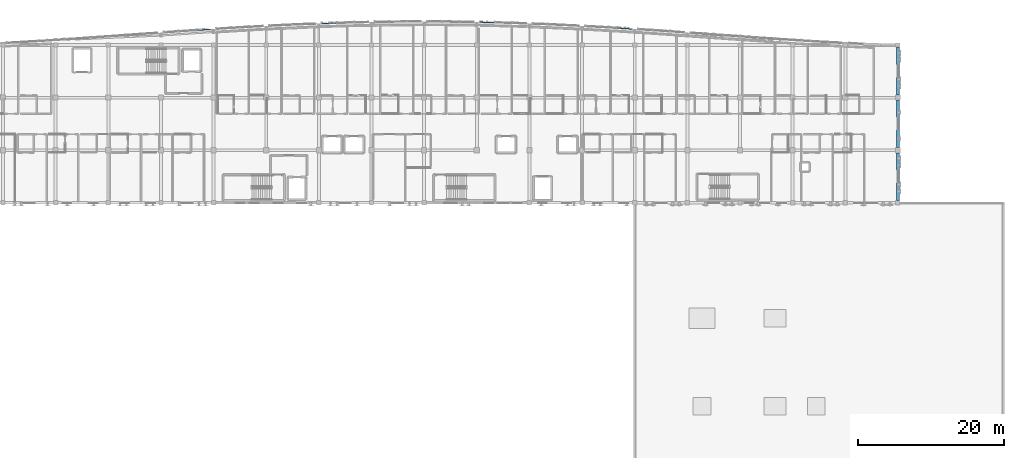
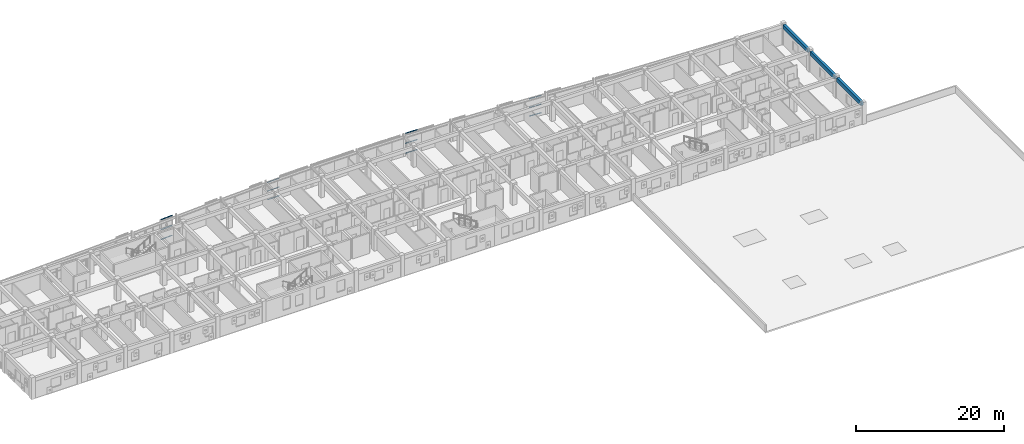
# One storey, part 31 of 50: 24 members, 3 beams, 4 elements without a shape of their own.
"""IFC4 building model written with IfcOpenShell, lengths in metres."""

from ifc_helpers import new_model, si_unit, direction, frame, origin, origin_2d, place, context, subcontext, project, spatial, rectangle, hollow_rectangle, extrude, material, layer, layer_set, material_profile, profile_set, type_object, element, aggregate, save


model = new_model("IFC4")

# Units and contexts
model_context = context("Model", 3, precision=1e-05, world=origin(), true_north=direction((0.0, 1.0)))
body_context = subcontext(model_context, "Body", "Model", "MODEL_VIEW")
ifc_project = project(units=[si_unit("LENGTHUNIT", "METRE"), si_unit("AREAUNIT", "SQUARE_METRE"), si_unit("VOLUMEUNIT", "CUBIC_METRE"), si_unit("PLANEANGLEUNIT", "RADIAN"), si_unit("MASSUNIT", "GRAM", prefix="KILO")], contexts=[model_context])

# Site, building, storey
site_placement = place(None, origin())
site = spatial("IfcSite", under=ifc_project, at=site_placement, CompositionType="ELEMENT")
building_placement = place(site_placement, origin())
building = spatial("IfcBuilding", under=site, at=building_placement, Name="Carrowvane Square Congress Hotel", CompositionType="ELEMENT")
storey_placement = place(building_placement, frame((0.0, 0.0, 22.800048828125)))
storey = spatial("IfcBuildingStorey", under=building, at=storey_placement, Name="L05", CompositionType="ELEMENT", Elevation=22.800048828125)

# Beams
ifc_material_1 = material(Name="Concrete C35/45", Category="concrete")
ifc_material_profile_1 = material_profile(ifc_material_1, rectangle(XDim=0.39990234375, YDim=0.64990234375, at=origin_2d()), Name="RC 400x650")
ifc_profile_set_1 = profile_set([ifc_material_profile_1], Name="Concrete C35/45")
beam_type = type_object("IfcBeamType", Name="BM-RC-400x650", PredefinedType="BEAM", material=ifc_profile_set_1)
beam_1_placement = place(storey_placement, frame((162.800048828125, 92.10009765625, 3.02490234375), z_axis=(0.0, 1.0, 0.0), x_axis=(-1.0, 0.0, 0.0)))
element("IfcBeam", 1, at=beam_1_placement, inside=storey, type_object=beam_type, Name="L06 girder 22/N-P", PredefinedType="BEAM", context=body_context, shape_type="SweptSolid", body=[
    extrude(rectangle(XDim=0.39990234375, YDim=0.64990234375, at=origin_2d()), origin(), (0.0, 0.0, 1.0), 6.5498046875),
])
beam_2_placement = place(storey_placement, frame((162.800048828125, 99.35009765625, 3.02490234375), z_axis=(0.0, 1.0, 0.0), x_axis=(-1.0, 0.0, 0.0)))
element("IfcBeam", 2, at=beam_2_placement, inside=storey, type_object=beam_type, Name="L06 girder 22/P-Q", PredefinedType="BEAM", context=body_context, shape_type="SweptSolid", body=[
    extrude(rectangle(XDim=0.39990234375, YDim=0.64990234375, at=origin_2d()), origin(), (0.0, 0.0, 1.0), 6.5),
])
beam_3_placement = place(storey_placement, frame((162.800048828125, 106.550048828125, 3.02490234375), z_axis=(0.0, 1.0, 0.0), x_axis=(-1.0, 0.0, 0.0)))
element("IfcBeam", 3, at=beam_3_placement, inside=storey, type_object=beam_type, Name="L06 girder 22/Q-R", PredefinedType="BEAM", context=body_context, shape_type="SweptSolid", body=[
    extrude(rectangle(XDim=0.39990234375, YDim=0.64990234375, at=origin_2d()), origin(), (0.0, 0.0, 1.0), 6.550048828125),
])

# Curtain wall, members
ifc_material_2 = material(Name="Anodised aluminium", Category="aluminium")
ifc_layer_1 = layer(ifc_material_2, 0.23388671875)
ifc_layer_set_1 = layer_set([ifc_layer_1], Name="Anodised aluminium")
curtain_wall_type_1 = type_object("IfcCurtainWallType", Name="CW-SYS-7", PredefinedType="NOTDEFINED", material=ifc_layer_set_1)
curtain_wall_1_placement = place(storey_placement, origin())
curtain_wall_1 = element("IfcCurtainWall", 4, at=curtain_wall_1_placement, inside=storey, type_object=curtain_wall_type_1, Name="L05 unitised curtain wall 326", PredefinedType="NOTDEFINED")
ifc_material_3 = material(Name="Anodised aluminium", Category="aluminium")
ifc_material_profile_2 = material_profile(ifc_material_3, hollow_rectangle(XDim=0.06005859375, YDim=0.1298828125, WallThickness=0.00390625, at=origin_2d()), Name="CW-TR 60x130x4")
ifc_profile_set_2 = profile_set([ifc_material_profile_2], Name="Anodised aluminium")
member_type_1 = type_object("IfcMemberType", Name="CW-TRN-1", PredefinedType="USERDEFINED", material=ifc_profile_set_2)
member_1_placement = place(storey_placement, frame((84.030517578125, 116.3388671875, 0.030029296875), z_axis=(0.999402547595, 0.034562231715, 0.0), x_axis=(-0.034562231715, 0.999402547595, 0.0)))
member_1 = element("IfcMember", 5, at=member_1_placement, type_object=member_type_1, Name="CW-7 transom 1.1", ObjectType="TRANSOM", PredefinedType="USERDEFINED", context=body_context, shape_type="SweptSolid", body=[
    extrude(hollow_rectangle(XDim=0.06005859375, YDim=0.1298828125, WallThickness=0.00390625, at=origin_2d()), origin(), (0.0, 0.0, 1.0), 0.92529296875),
])
member_2_placement = place(storey_placement, frame((84.030517578125, 116.3388671875, 1.462646484375), z_axis=(0.999402547595, 0.034562231715, 0.0), x_axis=(-0.034562231715, 0.999402547595, 0.0)))
member_2 = element("IfcMember", 6, at=member_2_placement, type_object=member_type_1, Name="CW-7 transom 1.2", ObjectType="TRANSOM", PredefinedType="USERDEFINED", context=body_context, shape_type="SweptSolid", body=[
    extrude(hollow_rectangle(XDim=0.06005859375, YDim=0.1298828125, WallThickness=0.00390625, at=origin_2d()), origin(), (0.0, 0.0, 1.0), 0.92529296875),
])
member_3_placement = place(storey_placement, frame((84.030517578125, 116.3388671875, 2.8955078125), z_axis=(0.999402547595, 0.034562231715, 0.0), x_axis=(-0.034562231715, 0.999402547595, 0.0)))
member_3 = element("IfcMember", 7, at=member_3_placement, type_object=member_type_1, Name="CW-7 transom 1.3", ObjectType="TRANSOM", PredefinedType="USERDEFINED", context=body_context, shape_type="SweptSolid", body=[
    extrude(hollow_rectangle(XDim=0.06005859375, YDim=0.1298828125, WallThickness=0.00390625, at=origin_2d()), origin(), (0.0, 0.0, 1.0), 0.92529296875),
])
member_4_placement = place(storey_placement, frame((85.01513671875, 116.372802734375, 0.030029296875), z_axis=(0.999402547595, 0.034562231715, 0.0), x_axis=(-0.034562231715, 0.999402547595, 0.0)))
member_4 = element("IfcMember", 8, at=member_4_placement, type_object=member_type_1, Name="CW-7 transom 2.1", ObjectType="TRANSOM", PredefinedType="USERDEFINED", context=body_context, shape_type="SweptSolid", body=[
    extrude(hollow_rectangle(XDim=0.06005859375, YDim=0.1298828125, WallThickness=0.00390625, at=origin_2d()), origin(), (0.0, 0.0, 1.0), 0.92529296875),
])
member_5_placement = place(storey_placement, frame((85.01513671875, 116.372802734375, 1.462646484375), z_axis=(0.999402547595, 0.034562231715, 0.0), x_axis=(-0.034562231715, 0.999402547595, 0.0)))
member_5 = element("IfcMember", 9, at=member_5_placement, type_object=member_type_1, Name="CW-7 transom 2.2", ObjectType="TRANSOM", PredefinedType="USERDEFINED", context=body_context, shape_type="SweptSolid", body=[
    extrude(hollow_rectangle(XDim=0.06005859375, YDim=0.1298828125, WallThickness=0.00390625, at=origin_2d()), origin(), (0.0, 0.0, 1.0), 0.92529296875),
])
member_6_placement = place(storey_placement, frame((85.01513671875, 116.372802734375, 2.8955078125), z_axis=(0.999402547595, 0.034562231715, 0.0), x_axis=(-0.034562231715, 0.999402547595, 0.0)))
member_6 = element("IfcMember", 10, at=member_6_placement, type_object=member_type_1, Name="CW-7 transom 2.3", ObjectType="TRANSOM", PredefinedType="USERDEFINED", context=body_context, shape_type="SweptSolid", body=[
    extrude(hollow_rectangle(XDim=0.06005859375, YDim=0.1298828125, WallThickness=0.00390625, at=origin_2d()), origin(), (0.0, 0.0, 1.0), 0.92529296875),
])
aggregate(curtain_wall_1, [member_1, member_2, member_3, member_4, member_5, member_6])

ifc_material_4 = material(Name="Anodised aluminium", Category="aluminium")
ifc_layer_2 = layer(ifc_material_4, 0.24609375)
ifc_layer_set_2 = layer_set([ifc_layer_2], Name="Anodised aluminium")
curtain_wall_type_2 = type_object("IfcCurtainWallType", Name="CW-SYS-8", PredefinedType="NOTDEFINED", material=ifc_layer_set_2)
curtain_wall_2_placement = place(storey_placement, origin())
curtain_wall_2 = element("IfcCurtainWall", 11, at=curtain_wall_2_placement, inside=storey, type_object=curtain_wall_type_2, Name="L05 unitised curtain wall 319", PredefinedType="NOTDEFINED")
ifc_material_5 = material(Name="Anodised aluminium", Category="aluminium")
ifc_material_profile_3 = material_profile(ifc_material_5, hollow_rectangle(XDim=0.070068359375, YDim=0.14990234375, WallThickness=0.0048828125, at=origin_2d()), Name="CW-TR 70x150x5")
ifc_profile_set_3 = profile_set([ifc_material_profile_3], Name="Anodised aluminium")
member_type_2 = type_object("IfcMemberType", Name="CW-TRN-2", PredefinedType="USERDEFINED", material=ifc_profile_set_3)
member_7_placement = place(storey_placement, frame((66.869873046875, 115.421630859375, 0.034912109375), z_axis=(0.997861922188, 0.065357358017, 0.0), x_axis=(-0.065357358017, 0.997861922188, 0.0)))
member_7 = element("IfcMember", 12, at=member_7_placement, type_object=member_type_2, Name="CW-8 transom 1.1", ObjectType="TRANSOM", PredefinedType="USERDEFINED", context=body_context, shape_type="SweptSolid", body=[
    extrude(hollow_rectangle(XDim=0.070068359375, YDim=0.14990234375, WallThickness=0.0048828125, at=origin_2d()), origin(), (0.0, 0.0, 1.0), 0.892822265625),
])
member_8_placement = place(storey_placement, frame((66.869873046875, 115.421630859375, 1.675048828125), z_axis=(0.997861922188, 0.065357358017, 0.0), x_axis=(-0.065357358017, 0.997861922188, 0.0)))
member_8 = element("IfcMember", 13, at=member_8_placement, type_object=member_type_2, Name="CW-8 transom 1.2", ObjectType="TRANSOM", PredefinedType="USERDEFINED", context=body_context, shape_type="SweptSolid", body=[
    extrude(hollow_rectangle(XDim=0.070068359375, YDim=0.14990234375, WallThickness=0.0048828125, at=origin_2d()), origin(), (0.0, 0.0, 1.0), 0.892822265625),
])
member_9_placement = place(storey_placement, frame((66.869873046875, 115.421630859375, 3.31494140625), z_axis=(0.997861922188, 0.065357358017, 0.0), x_axis=(-0.065357358017, 0.997861922188, 0.0)))
member_9 = element("IfcMember", 14, at=member_9_placement, type_object=member_type_2, Name="CW-8 transom 1.3", ObjectType="TRANSOM", PredefinedType="USERDEFINED", context=body_context, shape_type="SweptSolid", body=[
    extrude(hollow_rectangle(XDim=0.070068359375, YDim=0.14990234375, WallThickness=0.0048828125, at=origin_2d()), origin(), (0.0, 0.0, 1.0), 0.892822265625),
])
member_10_placement = place(storey_placement, frame((67.830810546875, 115.484619140625, 0.034912109375), z_axis=(0.997861922188, 0.065357358017, 0.0), x_axis=(-0.065357358017, 0.997861922188, 0.0)))
member_10 = element("IfcMember", 15, at=member_10_placement, type_object=member_type_2, Name="CW-8 transom 2.1", ObjectType="TRANSOM", PredefinedType="USERDEFINED", context=body_context, shape_type="SweptSolid", body=[
    extrude(hollow_rectangle(XDim=0.070068359375, YDim=0.14990234375, WallThickness=0.0048828125, at=origin_2d()), origin(), (0.0, 0.0, 1.0), 0.892822265625),
])
member_11_placement = place(storey_placement, frame((67.830810546875, 115.484619140625, 1.675048828125), z_axis=(0.997861922188, 0.065357358017, 0.0), x_axis=(-0.065357358017, 0.997861922188, 0.0)))
member_11 = element("IfcMember", 16, at=member_11_placement, type_object=member_type_2, Name="CW-8 transom 2.2", ObjectType="TRANSOM", PredefinedType="USERDEFINED", context=body_context, shape_type="SweptSolid", body=[
    extrude(hollow_rectangle(XDim=0.070068359375, YDim=0.14990234375, WallThickness=0.0048828125, at=origin_2d()), origin(), (0.0, 0.0, 1.0), 0.892822265625),
])
member_12_placement = place(storey_placement, frame((67.830810546875, 115.484619140625, 3.31494140625), z_axis=(0.997861922188, 0.065357358017, 0.0), x_axis=(-0.065357358017, 0.997861922188, 0.0)))
member_12 = element("IfcMember", 17, at=member_12_placement, type_object=member_type_2, Name="CW-8 transom 2.3", ObjectType="TRANSOM", PredefinedType="USERDEFINED", context=body_context, shape_type="SweptSolid", body=[
    extrude(hollow_rectangle(XDim=0.070068359375, YDim=0.14990234375, WallThickness=0.0048828125, at=origin_2d()), origin(), (0.0, 0.0, 1.0), 0.892822265625),
])
aggregate(curtain_wall_2, [member_7, member_8, member_9, member_10, member_11, member_12])

curtain_wall_3_placement = place(storey_placement, origin())
curtain_wall_3 = element("IfcCurtainWall", 18, at=curtain_wall_3_placement, inside=storey, type_object=curtain_wall_type_2, Name="L05 unitised curtain wall 335", PredefinedType="NOTDEFINED")
member_13_placement = place(storey_placement, frame((105.662353515625, 116.519287109375, 0.034912109375), z_axis=(0.999745885768, -0.022542490768, 0.0), x_axis=(0.022542490768, 0.999745885768, 0.0)))
member_13 = element("IfcMember", 19, at=member_13_placement, type_object=member_type_2, Name="CW-8 transom 1.1", ObjectType="TRANSOM", PredefinedType="USERDEFINED", context=body_context, shape_type="SweptSolid", body=[
    extrude(hollow_rectangle(XDim=0.070068359375, YDim=0.14990234375, WallThickness=0.0048828125, at=origin_2d()), origin(), (0.0, 0.0, 1.0), 0.89892578125),
])
member_14_placement = place(storey_placement, frame((105.662353515625, 116.519287109375, 1.675048828125), z_axis=(0.999745885768, -0.022542490768, 0.0), x_axis=(0.022542490768, 0.999745885768, 0.0)))
member_14 = element("IfcMember", 20, at=member_14_placement, type_object=member_type_2, Name="CW-8 transom 1.2", ObjectType="TRANSOM", PredefinedType="USERDEFINED", context=body_context, shape_type="SweptSolid", body=[
    extrude(hollow_rectangle(XDim=0.070068359375, YDim=0.14990234375, WallThickness=0.0048828125, at=origin_2d()), origin(), (0.0, 0.0, 1.0), 0.89892578125),
])
member_15_placement = place(storey_placement, frame((105.662353515625, 116.519287109375, 3.31494140625), z_axis=(0.999745885768, -0.022542490768, 0.0), x_axis=(0.022542490768, 0.999745885768, 0.0)))
member_15 = element("IfcMember", 21, at=member_15_placement, type_object=member_type_2, Name="CW-8 transom 1.3", ObjectType="TRANSOM", PredefinedType="USERDEFINED", context=body_context, shape_type="SweptSolid", body=[
    extrude(hollow_rectangle(XDim=0.070068359375, YDim=0.14990234375, WallThickness=0.0048828125, at=origin_2d()), origin(), (0.0, 0.0, 1.0), 0.89892578125),
])
member_16_placement = place(storey_placement, frame((106.631103515625, 116.49755859375, 0.034912109375), z_axis=(0.999746023727, -0.022536371529, 0.0), x_axis=(0.022536371529, 0.999746023727, 0.0)))
member_16 = element("IfcMember", 22, at=member_16_placement, type_object=member_type_2, Name="CW-8 transom 2.1", ObjectType="TRANSOM", PredefinedType="USERDEFINED", context=body_context, shape_type="SweptSolid", body=[
    extrude(hollow_rectangle(XDim=0.070068359375, YDim=0.14990234375, WallThickness=0.0048828125, at=origin_2d()), origin(), (0.0, 0.0, 1.0), 0.899169921875),
])
member_17_placement = place(storey_placement, frame((106.631103515625, 116.49755859375, 1.675048828125), z_axis=(0.999746023727, -0.022536371529, 0.0), x_axis=(0.022536371529, 0.999746023727, 0.0)))
member_17 = element("IfcMember", 23, at=member_17_placement, type_object=member_type_2, Name="CW-8 transom 2.2", ObjectType="TRANSOM", PredefinedType="USERDEFINED", context=body_context, shape_type="SweptSolid", body=[
    extrude(hollow_rectangle(XDim=0.070068359375, YDim=0.14990234375, WallThickness=0.0048828125, at=origin_2d()), origin(), (0.0, 0.0, 1.0), 0.899169921875),
])
member_18_placement = place(storey_placement, frame((106.631103515625, 116.49755859375, 3.31494140625), z_axis=(0.999746023727, -0.022536371529, 0.0), x_axis=(0.022536371529, 0.999746023727, 0.0)))
member_18 = element("IfcMember", 24, at=member_18_placement, type_object=member_type_2, Name="CW-8 transom 2.3", ObjectType="TRANSOM", PredefinedType="USERDEFINED", context=body_context, shape_type="SweptSolid", body=[
    extrude(hollow_rectangle(XDim=0.070068359375, YDim=0.14990234375, WallThickness=0.0048828125, at=origin_2d()), origin(), (0.0, 0.0, 1.0), 0.899169921875),
])
aggregate(curtain_wall_3, [member_13, member_14, member_15, member_16, member_17, member_18])

curtain_wall_4_placement = place(storey_placement, origin())
curtain_wall_4 = element("IfcCurtainWall", 25, at=curtain_wall_4_placement, inside=storey, type_object=curtain_wall_type_2, Name="L05 unitised curtain wall 343", PredefinedType="NOTDEFINED")
member_19_placement = place(storey_placement, frame((124.469970703125, 115.719970703125, 0.034912109375), z_axis=(0.998056720879, -0.062311972435, 0.0), x_axis=(0.062311972435, 0.998056720879, 0.0)))
member_19 = element("IfcMember", 26, at=member_19_placement, type_object=member_type_2, Name="CW-8 transom 1.1", ObjectType="TRANSOM", PredefinedType="USERDEFINED", context=body_context, shape_type="SweptSolid", body=[
    extrude(hollow_rectangle(XDim=0.070068359375, YDim=0.14990234375, WallThickness=0.0048828125, at=origin_2d()), origin(), (0.0, 0.0, 1.0), 0.916748046875),
])
member_20_placement = place(storey_placement, frame((124.469970703125, 115.719970703125, 1.462646484375), z_axis=(0.998056720879, -0.062311972435, 0.0), x_axis=(0.062311972435, 0.998056720879, 0.0)))
member_20 = element("IfcMember", 27, at=member_20_placement, type_object=member_type_2, Name="CW-8 transom 1.2", ObjectType="TRANSOM", PredefinedType="USERDEFINED", context=body_context, shape_type="SweptSolid", body=[
    extrude(hollow_rectangle(XDim=0.070068359375, YDim=0.14990234375, WallThickness=0.0048828125, at=origin_2d()), origin(), (0.0, 0.0, 1.0), 0.916748046875),
])
member_21_placement = place(storey_placement, frame((124.469970703125, 115.719970703125, 2.890625), z_axis=(0.998056720879, -0.062311972435, 0.0), x_axis=(0.062311972435, 0.998056720879, 0.0)))
member_21 = element("IfcMember", 28, at=member_21_placement, type_object=member_type_2, Name="CW-8 transom 1.3", ObjectType="TRANSOM", PredefinedType="USERDEFINED", context=body_context, shape_type="SweptSolid", body=[
    extrude(hollow_rectangle(XDim=0.070068359375, YDim=0.14990234375, WallThickness=0.0048828125, at=origin_2d()), origin(), (0.0, 0.0, 1.0), 0.916748046875),
])
member_22_placement = place(storey_placement, frame((125.454833984375, 115.658447265625, 0.034912109375), z_axis=(0.998041167403, -0.062560595983, 0.0), x_axis=(0.062560595983, 0.998041167403, 0.0)))
member_22 = element("IfcMember", 29, at=member_22_placement, type_object=member_type_2, Name="CW-8 transom 2.1", ObjectType="TRANSOM", PredefinedType="USERDEFINED", context=body_context, shape_type="SweptSolid", body=[
    extrude(hollow_rectangle(XDim=0.070068359375, YDim=0.14990234375, WallThickness=0.0048828125, at=origin_2d()), origin(), (0.0, 0.0, 1.0), 0.9169921875),
])
member_23_placement = place(storey_placement, frame((125.454833984375, 115.658447265625, 1.462646484375), z_axis=(0.998041167403, -0.062560595983, 0.0), x_axis=(0.062560595983, 0.998041167403, 0.0)))
member_23 = element("IfcMember", 30, at=member_23_placement, type_object=member_type_2, Name="CW-8 transom 2.2", ObjectType="TRANSOM", PredefinedType="USERDEFINED", context=body_context, shape_type="SweptSolid", body=[
    extrude(hollow_rectangle(XDim=0.070068359375, YDim=0.14990234375, WallThickness=0.0048828125, at=origin_2d()), origin(), (0.0, 0.0, 1.0), 0.9169921875),
])
member_24_placement = place(storey_placement, frame((125.454833984375, 115.658447265625, 2.890625), z_axis=(0.998041167403, -0.062560595983, 0.0), x_axis=(0.062560595983, 0.998041167403, 0.0)))
member_24 = element("IfcMember", 31, at=member_24_placement, type_object=member_type_2, Name="CW-8 transom 2.3", ObjectType="TRANSOM", PredefinedType="USERDEFINED", context=body_context, shape_type="SweptSolid", body=[
    extrude(hollow_rectangle(XDim=0.070068359375, YDim=0.14990234375, WallThickness=0.0048828125, at=origin_2d()), origin(), (0.0, 0.0, 1.0), 0.9169921875),
])
aggregate(curtain_wall_4, [member_19, member_20, member_21, member_22, member_23, member_24])

save(model, "model.ifc")
